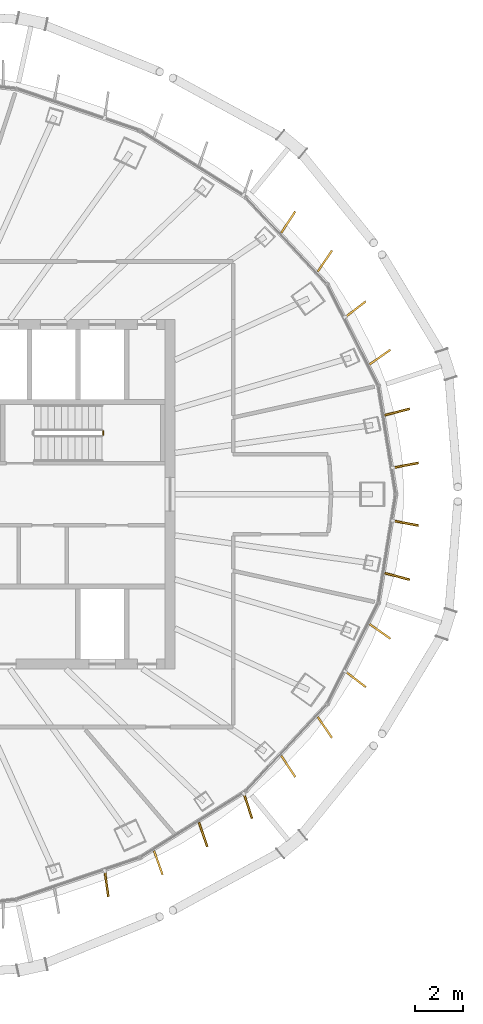
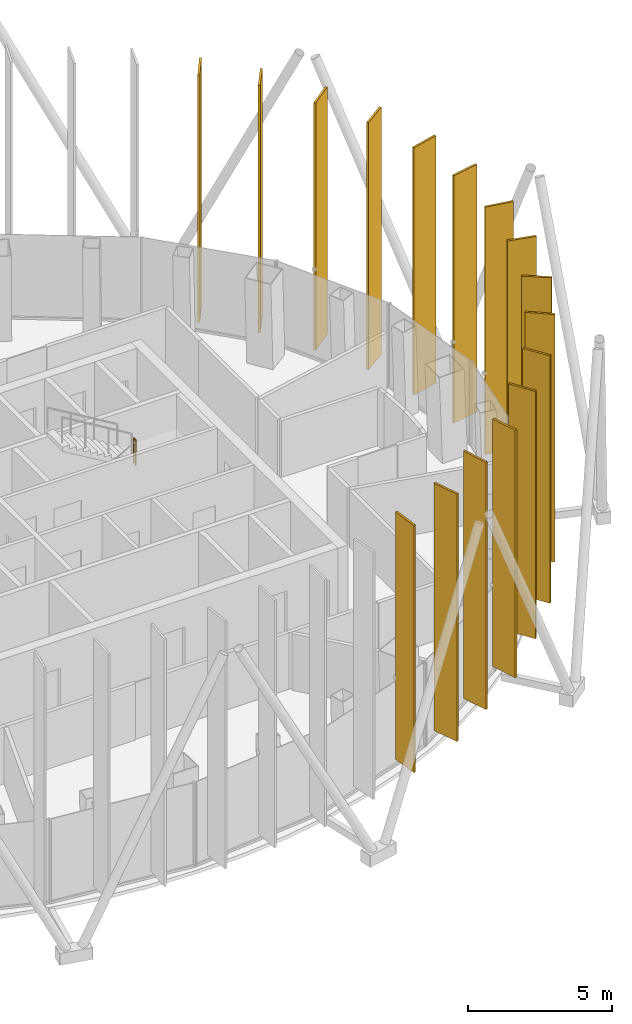
# One storey, part 18 of 19: 16 shading devices, 1 railing.
"""IFC4 building model written with IfcOpenShell, lengths in metres."""

from ifc_helpers import new_model, si_unit, direction, frame, origin, origin_2d, place, context, subcontext, project, spatial, rectangle, circle, extrude, material, layer, layer_set, type_object, element, save


model = new_model("IFC4")

# Units and contexts
model_context = context("Model", 3, precision=1e-05, world=origin(), true_north=direction((0.0, 1.0)))
body_context = subcontext(model_context, "Body", "Model", "MODEL_VIEW")
ifc_project = project(units=[si_unit("LENGTHUNIT", "METRE"), si_unit("AREAUNIT", "SQUARE_METRE"), si_unit("VOLUMEUNIT", "CUBIC_METRE"), si_unit("PLANEANGLEUNIT", "RADIAN"), si_unit("MASSUNIT", "GRAM", prefix="KILO")], contexts=[model_context])

# Site, building, storey
site_placement = place(None, origin())
site = spatial("IfcSite", under=ifc_project, at=site_placement, CompositionType="ELEMENT")
building_placement = place(site_placement, origin())
building = spatial("IfcBuilding", under=site, at=building_placement, Name="Siaravel Broadcast Tower", CompositionType="ELEMENT")
storey_placement = place(building_placement, frame((0.0, 0.0, 239.300048828125)))
storey = spatial("IfcBuildingStorey", under=building, at=storey_placement, Name="L58", CompositionType="ELEMENT", Elevation=239.300048828125)

# Shading devices
ifc_material_1 = material(Name="Bronze anodised aluminium", Category="aluminium")
ifc_layer = layer(ifc_material_1, 0.080078125)
ifc_layer_set = layer_set([ifc_layer], Name="Bronze anodised aluminium")
shading_device_type = type_object("IfcShadingDeviceType", Name="Bronze fin zone 4", PredefinedType="USERDEFINED", material=ifc_layer_set)
for number, where, z_axis, x_axis, name in (
    (1, (21.5263671875, 1.193115234375, 0.300048828125), (0.0, 0.0, 1.0), (0.981987414, 0.188946337, 0.0), "Bronze fin L58-01"),
    (2, (21.17138671875, 3.389892578125, 0.300048828125), (0.0, 0.0, 1.0), (0.96888411, 0.247514809, 0.0), "Bronze fin L58-02"),
    (3, (20.461181640625, 5.657958984375, 0.300048828125), (0.0, 0.0, 1.0), (0.818484772, 0.574528222, 0.0), "Bronze fin L58-03"),
    (4, (19.45751953125, 7.634521484375, 0.300048828125), (0.0, 0.0, 1.0), (0.792491932, 0.609882397, 0.0), "Bronze fin L58-04"),
    (5, (18.18408203125, 9.615234375, 0.300048828125), (0.0, 0.0, 1.0), (0.563301105, 0.826251696, 0.0), "Bronze fin L58-05"),
    (6, (16.67578125, 11.221923828125, 0.300048828125), (0.0, 0.0, 1.0), (0.547612877, 0.836731819, 0.0), "Bronze fin L58-06"),
    (7, (9.1826171875, -16.072021484375, 0.300048828125), (0.0, 0.0, 1.0), (0.135852176, -0.990729118, 0.0), "Bronze fin L58-46"),
    (8, (11.314697265625, -15.198486328125, 0.300048828125), (0.0, 0.0, 1.0), (0.335499251, -0.942040473, 0.0), "Bronze fin L58-47"),
    (9, (13.1630859375, -14.0341796875, 0.300048828125), (0.0, 0.0, 1.0), (0.317978217, -0.948098019, 0.0), "Bronze fin L58-48"),
    (10, (15.01708984375, -12.86767578125, 0.300048828125), (0.0, 0.0, 1.0), (0.311543938, -0.950231748, 0.0), "Bronze fin L58-49"),
    (11, (16.67578125, -11.221923828125, 0.300048828125), (0.0, 0.0, 1.0), (0.547612877, -0.836731819, 0.0), "Bronze fin L58-50"),
    (12, (18.18408203125, -9.615234375, 0.300048828125), (0.0, 0.0, 1.0), (0.563301105, -0.826251696, 0.0), "Bronze fin L58-51"),
    (13, (19.45751953125, -7.634521484375, 0.300048828125), (0.0, 0.0, 1.0), (0.792491932, -0.609882397, 0.0), "Bronze fin L58-52"),
    (14, (20.461181640625, -5.657958984375, 0.300048828125), (0.0, 0.0, 1.0), (0.818484772, -0.574528222, 0.0), "Bronze fin L58-53"),
    (15, (21.17138671875, -3.389892578125, 0.300048828125), (0.0, 0.0, 1.0), (0.96888411, -0.247514809, 0.0), "Bronze fin L58-54"),
    (16, (21.5263671875, -1.193115234375, 0.300048828125), (0.0, 0.0, 1.0), (0.981987414, -0.188946337, 0.0), "Bronze fin L58-55"),
):
    element("IfcShadingDevice", number, at=place(storey_placement, frame(where, z_axis=z_axis, x_axis=x_axis)), inside=storey, type_object=shading_device_type, Name=name, ObjectType="FIN", PredefinedType="USERDEFINED", context=body_context, shape_type="SweptSolid", body=[
        extrude(rectangle(XDim=1.050048828125, YDim=0.080078125, at=origin_2d()), origin(), (0.0, 0.0, 1.0), 10.5),
    ])

# Railing
ifc_material_2 = material(Name="Stainless steel 316L", Category="steel")
railing_type = type_object("IfcRailingType", Name="Stair guard 1100", PredefinedType="GUARDRAIL", material=ifc_material_2)
railing_placement = place(storey_placement, frame((9.050048828125, 2.449951171875, 1.849853515625)))
element("IfcRailing", 17, at=railing_placement, inside=storey, type_object=railing_type, Name="L58 ST-2 stair guard 2", PredefinedType="GUARDRAIL", context=body_context, shape_type="SweptSolid", body=[
    extrude(circle(Radius=0.02392578125, at=origin_2d()), frame((0.0, 0.0, 1.076171875), z_axis=(0.0, 1.0, 0.0), x_axis=(-1.0, 0.0, 0.0)), (0.0, 0.0, 1.0), 0.150146484375),
    extrude(circle(Radius=0.02099609375, at=origin_2d()), origin(), (0.0, 0.0, 1.0), 1.052001953125),
    extrude(circle(Radius=0.02099609375, at=origin_2d()), frame((0.0, 0.150146484375, 0.0)), (0.0, 0.0, 1.0), 1.052001953125),
])

save(model, "model.ifc")
